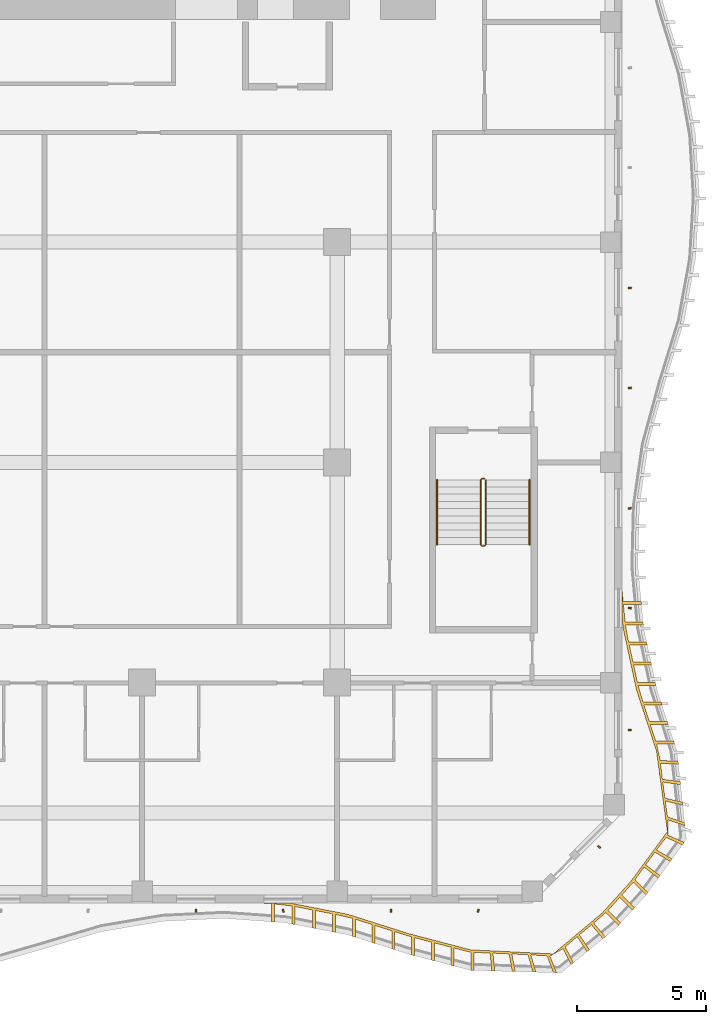
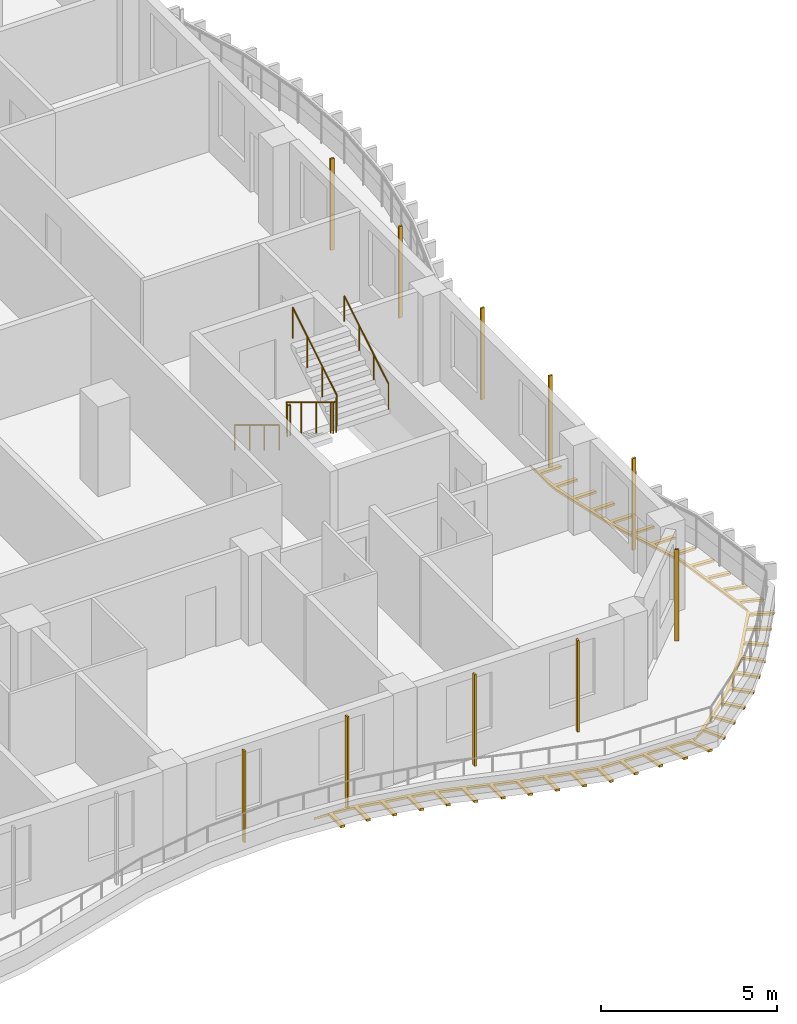
# One storey, part 19 of 23: 11 shading devices, 3 railings.
"""IFC4 building model written with IfcOpenShell, lengths in metres."""

from ifc_helpers import new_model, si_unit, direction, frame, origin, origin_2d, place, context, subcontext, project, spatial, polyline, rectangle, circle, outline, extrude, source, transform, mapped, material, layer, layer_set, material_profile, profile_set, type_object, element, save


model = new_model("IFC4")

# Units and contexts
model_context = context("Model", 3, precision=1e-05, world=origin(), true_north=direction((0.0, 1.0)))
body_context = subcontext(model_context, "Body", "Model", "MODEL_VIEW")
ifc_project = project(units=[si_unit("LENGTHUNIT", "METRE"), si_unit("AREAUNIT", "SQUARE_METRE"), si_unit("VOLUMEUNIT", "CUBIC_METRE"), si_unit("PLANEANGLEUNIT", "RADIAN"), si_unit("MASSUNIT", "GRAM", prefix="KILO")], contexts=[model_context])

# Site, building, storey
site_placement = place(None, origin())
site = spatial("IfcSite", under=ifc_project, at=site_placement, CompositionType="ELEMENT")
building_placement = place(site_placement, origin())
building = spatial("IfcBuilding", under=site, at=building_placement, Name="Kilnfold Tower and Market Hall", CompositionType="ELEMENT")
storey_placement = place(building_placement, frame((0.0, 0.0, 178.699951171875)))
storey = spatial("IfcBuildingStorey", under=building, at=storey_placement, Name="L42", CompositionType="ELEMENT", Elevation=178.699951171875)

# Railings
ifc_material_1 = material(Name="Stainless steel 316", Category="steel")
railing_type_1 = type_object("IfcRailingType", Name="CORE STAIR GUARD 1100", PredefinedType="GUARDRAIL", material=ifc_material_1)
railing_1_placement = place(storey_placement, frame((19.89990234375, -9.75, 0.0)))
element("IfcRailing", 1, at=railing_1_placement, inside=storey, type_object=railing_type_1, Name="L42 ST4 stair guard 1", PredefinedType="GUARDRAIL", context=body_context, shape_type="SweptSolid", body=[
    extrude(circle(Radius=0.02392578125, at=origin_2d()), frame((0.0, 0.0, 1.076171875), z_axis=(-1.0, 0.0, 0.0), x_axis=(0.0, -1.0, 0.0)), (0.0, 0.0, 1.0), 0.099853515625),
    extrude(circle(Radius=0.02392578125, at=origin_2d()), frame((-0.099853515625, 0.0, 1.076171875), z_axis=(-0.271562723297, -0.271562723297, 0.923313259209), x_axis=(0.707106781187, -0.707106781187, 0.0)), (0.0, 0.0, 1.0), 0.184326171875),
    extrude(circle(Radius=0.02392578125, at=origin_2d()), frame((-0.14990234375, -0.050048828125, 1.24609375), z_axis=(0.0, -0.854821627497, 0.518921945155), x_axis=(1.0, 0.0, 0.0)), (0.0, 0.0, 1.0), 2.947998046875),
    extrude(circle(Radius=0.02392578125, at=origin_2d()), frame((-0.14990234375, -2.570068359375, 2.77587890625), z_axis=(0.707106781187, -0.707106781187, 0.0), x_axis=(0.707106781187, 0.707106781187, 0.0)), (0.0, 0.0, 1.0), 0.07080078125),
    extrude(circle(Radius=0.02392578125, at=origin_2d()), frame((-0.099853515625, -2.6201171875, 2.77587890625), z_axis=(1.0, 0.0, 0.0), x_axis=(0.0, 1.0, 0.0)), (0.0, 0.0, 1.0), 0.099853515625),
    extrude(circle(Radius=0.02392578125, at=origin_2d()), frame((0.0, -2.6201171875, 2.77587890625), z_axis=(0.271562723297, 0.271562723297, 0.923313259209), x_axis=(-0.707106781187, 0.707106781187, 0.0)), (0.0, 0.0, 1.0), 0.184326171875),
    extrude(circle(Radius=0.02392578125, at=origin_2d()), frame((0.050048828125, -2.570068359375, 2.9462890625), z_axis=(0.0, 0.85478489116, 0.518982456201), x_axis=(-1.0, 0.0, 0.0)), (0.0, 0.0, 1.0), 2.9482421875),
    extrude(circle(Radius=0.02099609375, at=origin_2d()), origin(), (0.0, 0.0, 1.0), 1.052001953125),
    extrude(circle(Radius=0.02099609375, at=origin_2d()), frame((-0.099853515625, 0.0, 0.0)), (0.0, 0.0, 1.0), 1.052001953125),
    extrude(circle(Radius=0.02099609375, at=origin_2d()), frame((-0.14990234375, -0.050048828125, 0.170166015625)), (0.0, 0.0, 1.0), 1.052001953125),
    extrude(circle(Radius=0.02099609375, at=origin_2d()), frame((-0.14990234375, -0.89013671875, 0.68017578125)), (0.0, 0.0, 1.0), 1.052001953125),
    extrude(circle(Radius=0.02099609375, at=origin_2d()), frame((-0.14990234375, -1.72998046875, 1.18994140625)), (0.0, 0.0, 1.0), 1.052001953125),
    extrude(circle(Radius=0.02099609375, at=origin_2d()), frame((-0.14990234375, -2.570068359375, 1.699951171875)), (0.0, 0.0, 1.0), 1.052001953125),
    extrude(circle(Radius=0.02099609375, at=origin_2d()), frame((-0.099853515625, -2.6201171875, 1.699951171875)), (0.0, 0.0, 1.0), 1.052001953125),
    extrude(circle(Radius=0.02099609375, at=origin_2d()), frame((0.0, -2.6201171875, 1.699951171875)), (0.0, 0.0, 1.0), 1.052001953125),
    extrude(circle(Radius=0.02099609375, at=origin_2d()), frame((0.050048828125, -2.570068359375, 1.8701171875)), (0.0, 0.0, 1.0), 1.052001953125),
    extrude(circle(Radius=0.02099609375, at=origin_2d()), frame((0.050048828125, -1.72998046875, 2.380126953125)), (0.0, 0.0, 1.0), 1.052001953125),
    extrude(circle(Radius=0.02099609375, at=origin_2d()), frame((0.050048828125, -0.89013671875, 2.89013671875)), (0.0, 0.0, 1.0), 1.052001953125),
    extrude(circle(Radius=0.02099609375, at=origin_2d()), frame((0.050048828125, -0.050048828125, 3.400146484375)), (0.0, 0.0, 1.0), 1.052001953125),
])
ifc_material_2 = material(Name="Stainless steel 316", Category="steel")
railing_type_2 = type_object("IfcRailingType", Name="CORE STAIR HANDRAIL 900", PredefinedType="HANDRAIL", material=ifc_material_2)
railing_2_placement = place(storey_placement, frame((18.050048828125, -9.800048828125, 0.170166015625)))
element("IfcRailing", 2, at=railing_2_placement, inside=storey, type_object=railing_type_2, Name="L42 ST4 stair handrail 1", PredefinedType="HANDRAIL", context=body_context, shape_type="SweptSolid", body=[
    extrude(circle(Radius=0.02392578125, at=origin_2d()), frame((0.0, 0.0, 0.8759765625), z_axis=(0.0, -0.854821627497, 0.518921945155), x_axis=(1.0, 0.0, 0.0)), (0.0, 0.0, 1.0), 2.947998046875),
    extrude(circle(Radius=0.02099609375, at=origin_2d()), origin(), (0.0, 0.0, 1.0), 0.851806640625),
    extrude(circle(Radius=0.02099609375, at=origin_2d()), frame((0.0, -0.840087890625, 0.510009765625)), (0.0, 0.0, 1.0), 0.851806640625),
    extrude(circle(Radius=0.02099609375, at=origin_2d()), frame((0.0, -1.679931640625, 1.019775390625)), (0.0, 0.0, 1.0), 0.851806640625),
    extrude(circle(Radius=0.02099609375, at=origin_2d()), frame((0.0, -2.52001953125, 1.52978515625)), (0.0, 0.0, 1.0), 0.851806640625),
])
railing_3_placement = place(storey_placement, frame((21.64990234375, -12.320068359375, 1.8701171875)))
element("IfcRailing", 3, at=railing_3_placement, inside=storey, type_object=railing_type_2, Name="L42 ST4 stair handrail 2", PredefinedType="HANDRAIL", context=body_context, shape_type="SweptSolid", body=[
    extrude(circle(Radius=0.02392578125, at=origin_2d()), frame((0.0, 0.0, 0.8759765625), z_axis=(0.0, 0.85478489116, 0.518982456201), x_axis=(-1.0, 0.0, 0.0)), (0.0, 0.0, 1.0), 2.9482421875),
    extrude(circle(Radius=0.02099609375, at=origin_2d()), origin(), (0.0, 0.0, 1.0), 0.851806640625),
    extrude(circle(Radius=0.02099609375, at=origin_2d()), frame((0.0, 0.840087890625, 0.510009765625)), (0.0, 0.0, 1.0), 0.851806640625),
    extrude(circle(Radius=0.02099609375, at=origin_2d()), frame((0.0, 1.679931640625, 1.02001953125)), (0.0, 0.0, 1.0), 0.851806640625),
    extrude(circle(Radius=0.02099609375, at=origin_2d()), frame((0.0, 2.52001953125, 1.530029296875)), (0.0, 0.0, 1.0), 0.851806640625),
])

# Shading devices
ifc_material_3 = material(Name="Terracotta", Category="masonry")
ifc_material_profile = material_profile(ifc_material_3, rectangle(XDim=0.06005859375, YDim=0.1201171875, at=origin_2d()), Name="BAG 60x120")
ifc_profile_set = profile_set([ifc_material_profile], Name="Terracotta")
shading_device_type_1 = type_object("IfcShadingDeviceType", Name="BAGUETTE", PredefinedType="USERDEFINED", material=ifc_profile_set)
shared_shape_1 = source(origin(), body_context, "Body", "SweptSolid", [
    extrude(rectangle(XDim=0.06005859375, YDim=0.1201171875, at=origin_2d()), origin(), (0.0, 0.0, 1.0), 3.179931640625),
])
for number, where, z_axis, x_axis, name in (
    (4, (8.67919921875, -26.550048828125, 0.0), (0.0, 0.0, 1.0), (0.998155729733, -0.060705347382, 0.0), "Terracotta baguette L42 S"),
    (5, (12.07080078125, -26.550048828125, 0.0), (0.0, 0.0, 1.0), (0.992491387347, 0.122314537327, 0.0), "Terracotta baguette L42 S"),
    (6, (16.262451171875, -26.550048828125, 0.0), (0.0, 0.0, 1.0), (0.999658557425, 0.026129840537, 0.0), "Terracotta baguette L42 S"),
    (7, (19.654296875, -26.550048828125, 0.0), (0.0, 0.0, 1.0), (0.990803185039, -0.135310932729, 0.0), "Terracotta baguette L42 S"),
    (8, (24.35498046875, -24.0693359375, 0.0), (0.0, 0.0, 1.0), (0.644768224989, 0.764378136818, 0.0), "Terracotta baguette L42 SE"),
    (9, (25.550048828125, -19.53173828125, 0.0), (0.0, 0.0, 1.0), (-0.046928624009, 0.998898245192, 0.0), "Terracotta baguette L42 E"),
    (10, (25.550048828125, -14.78759765625, 0.0), (0.0, 0.0, 1.0), (0.135973215839, 0.990712513585, 0.0), "Terracotta baguette L42 E"),
    (11, (25.550048828125, -10.90625, 0.0), (0.0, 0.0, 1.0), (-0.052628767462, 0.998614146122, 0.0), "Terracotta baguette L42 E"),
    (12, (25.550048828125, -6.22509765625, 0.0), (0.0, 0.0, 1.0), (-0.084843055307, 0.996394327546, 0.0), "Terracotta baguette L42 E"),
    (13, (25.550048828125, -2.34375, 0.0), (0.0, 0.0, 1.0), (0.123343412616, 0.992364047396, 0.0), "Terracotta baguette L42 E"),
):
    element("IfcShadingDevice", number, at=place(storey_placement, frame(where, z_axis=z_axis, x_axis=x_axis)), inside=storey, type_object=shading_device_type_1, Name=name, ObjectType="BAGUETTE", PredefinedType="USERDEFINED", context=body_context, shape_type="MappedRepresentation", body=[
        mapped(shared_shape_1, transform((0.0, 0.0, 0.0))),
    ])
ifc_material_4 = material(Name="Bronze anodised aluminium", Category="aluminium")
ifc_layer = layer(ifc_material_4, 0.080078125)
ifc_layer_set = layer_set([ifc_layer], Name="Bronze anodised aluminium")
shading_device_type_2 = type_object("IfcShadingDeviceType", Name="BRONZE SLAT SOFFIT 80", PredefinedType="USERDEFINED", material=ifc_layer_set)
shared_shape_2 = source(origin(), body_context, "Body", "SweptSolid", [
    extrude(outline(polyline([(14.56591796875, -26.6865234375), (16.96044921875, -27.44580078125), (19.355224609375, -28.0712890625), (22.57080078125, -28.231201171875), (24.471923828125, -26.638427734375), (25.581787109375, -25.415283203125), (27.00732421875, -23.477783203125), (26.58349609375, -20.355224609375), (25.80419921875, -17.96044921875), (25.284912109375, -15.56591796875), (25.25, -15.19287109375), (25.25, -14.12158203125), (25.287841796875, -14.526611328125), (25.98779296875, -14.526611328125), (25.9990234375, -14.64599609375), (25.299072265625, -14.64599609375), (25.3623046875, -15.3232421875), (26.062255859375, -15.3232421875), (26.0732421875, -15.442626953125), (25.373291015625, -15.442626953125), (25.502685546875, -16.109619140625), (26.20263671875, -16.109619140625), (26.22802734375, -16.226806640625), (25.528076171875, -16.226806640625), (25.672119140625, -16.891357421875), (26.372314453125, -16.891357421875), (26.397705078125, -17.008544921875), (25.69775390625, -17.008544921875), (25.841796875, -17.673095703125), (26.541748046875, -17.673095703125), (26.567138671875, -17.790283203125), (25.8671875, -17.790283203125), (26.060791015625, -18.441650390625), (26.7607421875, -18.441650390625), (26.7978515625, -18.5556640625), (26.097900390625, -18.5556640625), (26.308349609375, -19.202392578125), (27.00830078125, -19.202392578125), (27.04541015625, -19.31640625), (26.345458984375, -19.31640625), (26.555908203125, -19.963134765625), (27.255859375, -19.963134765625), (27.29296875, -20.0771484375), (26.593017578125, -20.0771484375), (26.724853515625, -20.710205078125), (27.42431640625, -20.74072265625), (27.43701171875, -20.860107421875), (26.738037109375, -20.8203125), (26.814697265625, -21.4423828125), (27.508544921875, -21.5361328125), (27.52099609375, -21.655517578125), (26.828857421875, -21.552001953125), (26.91064453125, -22.17431640625), (27.5927734375, -22.331787109375), (27.605224609375, -22.451171875), (26.925537109375, -22.2841796875), (27.01220703125, -22.908203125), (27.677001953125, -23.127197265625), (27.689453125, -23.24658203125), (27.02783203125, -23.0185546875), (27.02294921875, -23.6162109375), (27.664306640625, -23.89697265625), (27.593505859375, -23.993896484375), (26.957275390625, -23.702392578125), (26.588623046875, -24.191162109375), (27.193359375, -24.543701171875), (27.122802734375, -24.640869140625), (26.5244140625, -24.277587890625), (26.1630859375, -24.77001953125), (26.72265625, -25.190673828125), (26.652099609375, -25.28759765625), (26.10009765625, -24.857177734375), (25.74462890625, -25.35498046875), (26.251953125, -25.83740234375), (26.181396484375, -25.934326171875), (25.682373046875, -25.443603515625), (25.234130859375, -25.947021484375), (25.729248046875, -26.44189453125), (25.648681640625, -26.53076171875), (25.153564453125, -26.035888671875), (24.69677734375, -26.53955078125), (25.191650390625, -27.034423828125), (25.111083984375, -27.123291015625), (24.615966796875, -26.62841796875), (24.1416015625, -27.03271484375), (24.595703125, -27.5654296875), (24.502685546875, -27.641357421875), (24.0576171875, -27.10107421875), (23.585205078125, -27.490966796875), (23.976318359375, -28.07177734375), (23.88330078125, -28.147705078125), (23.50244140625, -27.560302734375), (23.0341796875, -27.956787109375), (23.356689453125, -28.577880859375), (23.263916015625, -28.65380859375), (22.951904296875, -28.02734375), (22.441650390625, -28.3134765625), (22.69677734375, -28.965087890625), (22.576904296875, -28.9619140625), (22.330322265625, -28.306640625), (21.70068359375, -28.27099609375), (21.897216796875, -28.94287109375), (21.777099609375, -28.939453125), (21.58984375, -28.264892578125), (20.96240234375, -28.2333984375), (21.097412109375, -28.92041015625), (20.9775390625, -28.9169921875), (20.851806640625, -28.228271484375), (20.22509765625, -28.20166015625), (20.2978515625, -28.897705078125), (20.177734375, -28.894287109375), (20.114501953125, -28.197265625), (19.4873046875, -28.17529296875), (19.498046875, -28.875244140625), (19.378173828125, -28.871826171875), (19.37646484375, -28.171875), (18.719482421875, -28.005126953125), (18.719482421875, -28.705078125), (18.603515625, -28.6748046875), (18.603515625, -27.974853515625), (17.9453125, -27.802978515625), (17.9453125, -28.503173828125), (17.829345703125, -28.47265625), (17.829345703125, -27.772705078125), (17.17138671875, -27.600830078125), (17.17138671875, -28.30078125), (17.055419921875, -28.2705078125), (17.055419921875, -27.570556640625), (16.40576171875, -27.369873046875), (16.40576171875, -28.06982421875), (16.291259765625, -28.03369140625), (16.291259765625, -27.33349609375), (15.64306640625, -27.128173828125), (15.64306640625, -27.828125), (15.52880859375, -27.791748046875), (15.52880859375, -27.091796875), (14.880615234375, -26.88623046875), (14.880615234375, -27.586181640625), (14.76611328125, -27.550048828125), (14.76611328125, -26.85009765625), (14.1044921875, -26.697021484375), (14.1044921875, -27.397216796875), (13.98681640625, -27.374267578125), (13.98681640625, -26.67431640625), (13.319091796875, -26.544921875), (13.319091796875, -27.2451171875), (13.201416015625, -27.22216796875), (13.201416015625, -26.522216796875), (12.53369140625, -26.392822265625), (12.53369140625, -27.0927734375), (12.416015625, -27.06982421875), (12.416015625, -26.369873046875), (11.74169921875, -26.291748046875), (11.74169921875, -26.99169921875), (11.621826171875, -26.9833984375), (11.621826171875, -26.283203125), (11.156494140625, -26.25), (12.31298828125, -26.25), (14.56591796875, -26.6865234375)])), origin(), (0.0, 0.0, 1.0), 0.080078125),
])
shading_device_placement = place(storey_placement, frame((0.0, 0.0, -0.300048828125)))
element("IfcShadingDevice", 14, at=shading_device_placement, inside=storey, type_object=shading_device_type_2, Name="Balcony soffit slats L42", ObjectType="SLAT", PredefinedType="USERDEFINED", context=body_context, shape_type="MappedRepresentation", body=[
    mapped(shared_shape_2, transform((0.0, 0.0, 0.0))),
])

save(model, "model.ifc")
